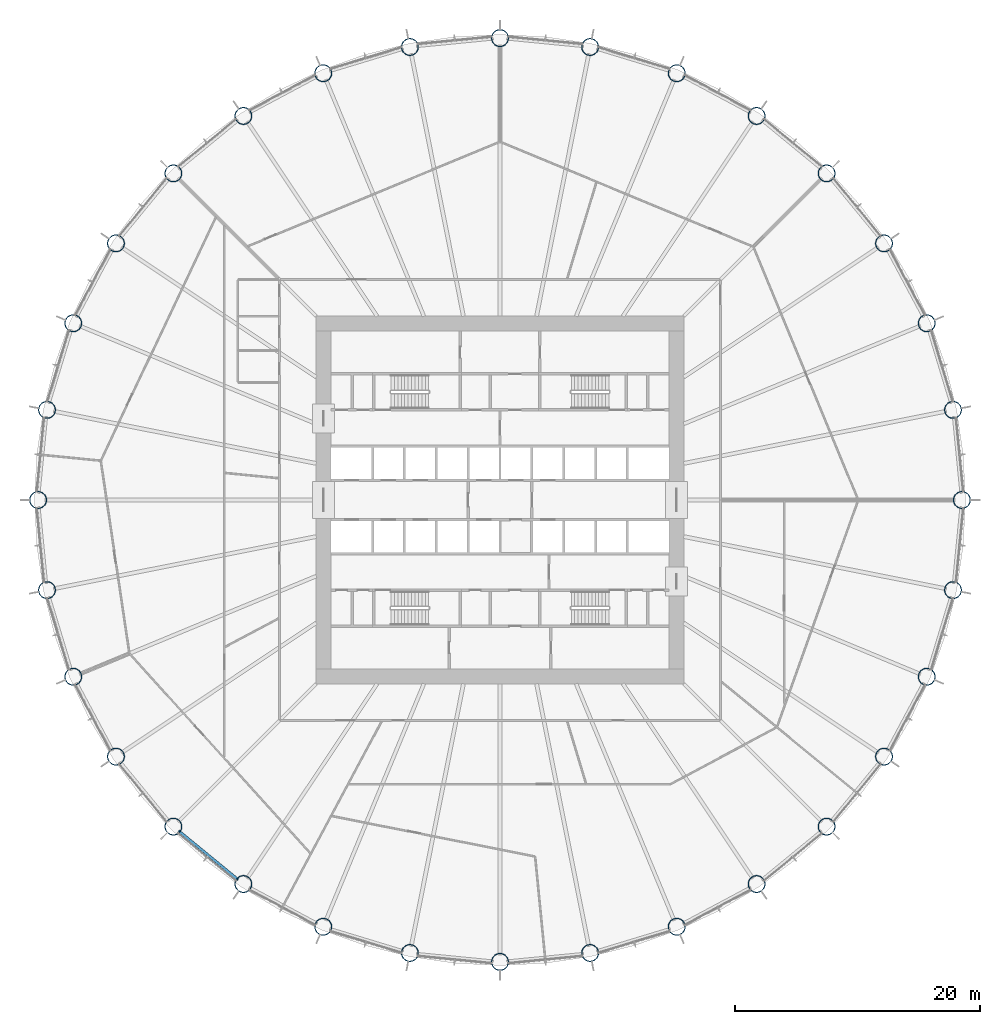
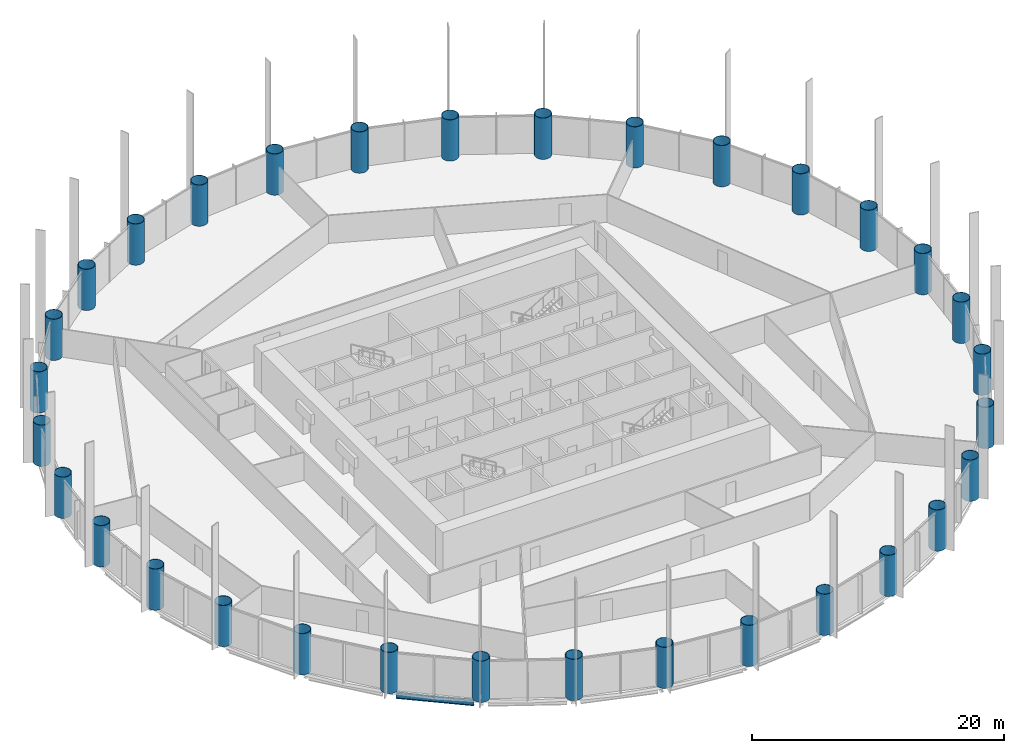
# One storey, part 1 of 15: 32 columns, 1 beam.
"""IFC4 building model written with IfcOpenShell, lengths in metres."""

from ifc_helpers import new_model, si_unit, direction, frame, origin, origin_2d, place, context, subcontext, project, spatial, hollow_circle, i_section, extrude, material, material_profile, profile_set, type_object, element, save


model = new_model("IFC4")

# Units and contexts
model_context = context("Model", 3, precision=1e-05, world=origin(), true_north=direction((0.0, 1.0)))
body_context = subcontext(model_context, "Body", "Model", "MODEL_VIEW")
ifc_project = project(units=[si_unit("LENGTHUNIT", "METRE"), si_unit("AREAUNIT", "SQUARE_METRE"), si_unit("VOLUMEUNIT", "CUBIC_METRE"), si_unit("PLANEANGLEUNIT", "RADIAN"), si_unit("MASSUNIT", "GRAM", prefix="KILO")], contexts=[model_context])

# Site, building, storey
site_placement = place(None, origin())
site = spatial("IfcSite", under=ifc_project, at=site_placement, CompositionType="ELEMENT")
building_placement = place(site_placement, origin())
building = spatial("IfcBuilding", under=site, at=building_placement, Name="Corvane Civic Tower", CompositionType="ELEMENT")
storey_placement = place(building_placement, frame((0.0, 0.0, 65.0)))
storey = spatial("IfcBuildingStorey", under=building, at=storey_placement, Name="L14", CompositionType="ELEMENT", Elevation=65.0)

# Columns
ifc_material_1 = material(Name="Steel ASTM A572 Gr 50", Category="steel")
ifc_material_profile_1 = material_profile(ifc_material_1, hollow_circle(Radius=0.699951171875, WallThickness=0.0400390625, at=origin_2d()), Name="CHS1400X40")
ifc_profile_set_1 = profile_set([ifc_material_profile_1], Name="Steel ASTM A572 Gr 50")
column_type = type_object("IfcColumnType", Name="COMPOSITE COLUMN CHS1400X40", PredefinedType="COLUMN", material=ifc_profile_set_1)
for number, where, z_axis, x_axis, name in (
    (1, (0.0, 37.699951171875, 0.0), (0.0, 0.0, 1.0), (1.0, 0.0, 0.0), "COL-L14-A01"),
    (2, (7.35498046875, 36.9755859375, 0.0), (0.0, 0.0, 1.0), (1.0, 0.0, 0.0), "COL-L14-A02"),
    (3, (14.42724609375, 34.830322265625, 0.0), (0.0, 0.0, 1.0), (1.0, 0.0, 0.0), "COL-L14-A03"),
    (4, (20.945068359375, 31.346435546875, 0.0), (0.0, 0.0, 1.0), (1.0, 0.0, 0.0), "COL-L14-A04"),
    (5, (26.657958984375, 26.657958984375, 0.0), (0.0, 0.0, 1.0), (1.0, 0.0, 0.0), "COL-L14-A05"),
    (6, (31.346435546875, 20.945068359375, 0.0), (0.0, 0.0, 1.0), (1.0, 0.0, 0.0), "COL-L14-A06"),
    (7, (34.830322265625, 14.42724609375, 0.0), (0.0, 0.0, 1.0), (1.0, 0.0, 0.0), "COL-L14-A07"),
    (8, (36.9755859375, 7.35498046875, 0.0), (0.0, 0.0, 1.0), (1.0, 0.0, 0.0), "COL-L14-A08"),
    (9, (37.699951171875, 0.0, 0.0), (0.0, 0.0, 1.0), (1.0, 0.0, 0.0), "COL-L14-A09"),
    (10, (36.9755859375, -7.35498046875, 0.0), (0.0, 0.0, 1.0), (1.0, 0.0, 0.0), "COL-L14-A10"),
    (11, (34.830322265625, -14.42724609375, 0.0), (0.0, 0.0, 1.0), (1.0, 0.0, 0.0), "COL-L14-A11"),
    (12, (31.346435546875, -20.945068359375, 0.0), (0.0, 0.0, 1.0), (1.0, 0.0, 0.0), "COL-L14-A12"),
    (13, (26.657958984375, -26.657958984375, 0.0), (0.0, 0.0, 1.0), (1.0, 0.0, 0.0), "COL-L14-A13"),
    (14, (20.945068359375, -31.346435546875, 0.0), (0.0, 0.0, 1.0), (1.0, 0.0, 0.0), "COL-L14-A14"),
    (15, (14.42724609375, -34.830322265625, 0.0), (0.0, 0.0, 1.0), (1.0, 0.0, 0.0), "COL-L14-A15"),
    (16, (7.35498046875, -36.9755859375, 0.0), (0.0, 0.0, 1.0), (1.0, 0.0, 0.0), "COL-L14-A16"),
    (17, (0.0, -37.699951171875, 0.0), (0.0, 0.0, 1.0), (1.0, 0.0, 0.0), "COL-L14-A17"),
    (18, (-7.35498046875, -36.9755859375, 0.0), (0.0, 0.0, 1.0), (1.0, 0.0, 0.0), "COL-L14-A18"),
    (19, (-14.42724609375, -34.830322265625, 0.0), (0.0, 0.0, 1.0), (1.0, 0.0, 0.0), "COL-L14-A19"),
    (20, (-20.945068359375, -31.346435546875, 0.0), (0.0, 0.0, 1.0), (1.0, 0.0, 0.0), "COL-L14-A20"),
    (21, (-26.657958984375, -26.657958984375, 0.0), (0.0, 0.0, 1.0), (1.0, 0.0, 0.0), "COL-L14-A21"),
    (22, (-31.346435546875, -20.945068359375, 0.0), (0.0, 0.0, 1.0), (1.0, 0.0, 0.0), "COL-L14-A22"),
    (23, (-34.830322265625, -14.42724609375, 0.0), (0.0, 0.0, 1.0), (1.0, 0.0, 0.0), "COL-L14-A23"),
    (24, (-36.9755859375, -7.35498046875, 0.0), (0.0, 0.0, 1.0), (1.0, 0.0, 0.0), "COL-L14-A24"),
    (25, (-37.699951171875, 0.0, 0.0), (0.0, 0.0, 1.0), (1.0, 0.0, 0.0), "COL-L14-A25"),
    (26, (-36.9755859375, 7.35498046875, 0.0), (0.0, 0.0, 1.0), (1.0, 0.0, 0.0), "COL-L14-A26"),
    (27, (-34.830322265625, 14.42724609375, 0.0), (0.0, 0.0, 1.0), (1.0, 0.0, 0.0), "COL-L14-A27"),
    (28, (-31.346435546875, 20.945068359375, 0.0), (0.0, 0.0, 1.0), (1.0, 0.0, 0.0), "COL-L14-A28"),
    (29, (-26.657958984375, 26.657958984375, 0.0), (0.0, 0.0, 1.0), (1.0, 0.0, 0.0), "COL-L14-A29"),
    (30, (-20.945068359375, 31.346435546875, 0.0), (0.0, 0.0, 1.0), (1.0, 0.0, 0.0), "COL-L14-A30"),
    (31, (-14.42724609375, 34.830322265625, 0.0), (0.0, 0.0, 1.0), (1.0, 0.0, 0.0), "COL-L14-A31"),
    (32, (-7.35498046875, 36.9755859375, 0.0), (0.0, 0.0, 1.0), (1.0, 0.0, 0.0), "COL-L14-A32"),
):
    element("IfcColumn", number, at=place(storey_placement, frame(where, z_axis=z_axis, x_axis=x_axis)), inside=storey, type_object=column_type, Name=name, PredefinedType="COLUMN", context=body_context, shape_type="SweptSolid", body=[
        extrude(hollow_circle(Radius=0.699951171875, WallThickness=0.0400390625, at=origin_2d()), origin(), (0.0, 0.0, 1.0), 4.0),
    ])

# Beam
ifc_material_2 = material(Name="Steel ASTM A992 Gr 50", Category="steel")
ifc_material_profile_2 = material_profile(ifc_material_2, i_section(OverallWidth=0.209228515625, OverallDepth=0.533447265625, WebThickness=0.01025390625, FlangeThickness=0.015625, at=origin_2d()), Name="W21X62")
ifc_profile_set_2 = profile_set([ifc_material_profile_2], Name="Steel ASTM A992 Gr 50")
beam_type = type_object("IfcBeamType", Name="EDGE BEAM W21X62", PredefinedType="BEAM", material=ifc_profile_set_2)
beam_placement = place(storey_placement, frame((-21.3701171875, -30.99755859375, -0.566650390625), z_axis=(-0.773015785286, 0.634386787141, 0.0), x_axis=(-0.634386787141, -0.773015785286, 0.0)))
element("IfcBeam", 33, at=beam_placement, inside=storey, type_object=beam_type, Name="BM-L14-E20", PredefinedType="BEAM", context=body_context, shape_type="SweptSolid", body=[
    extrude(i_section(OverallWidth=0.209228515625, OverallDepth=0.533447265625, WebThickness=0.01025390625, FlangeThickness=0.015625, at=origin_2d()), origin(), (0.0, 0.0, 1.0), 6.290771484375),
])

save(model, "model.ifc")
